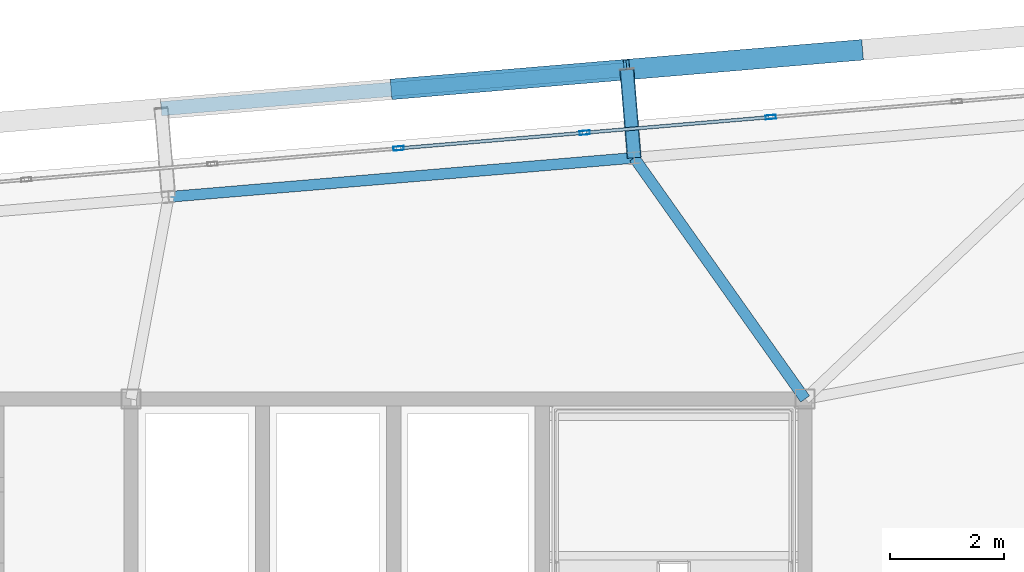
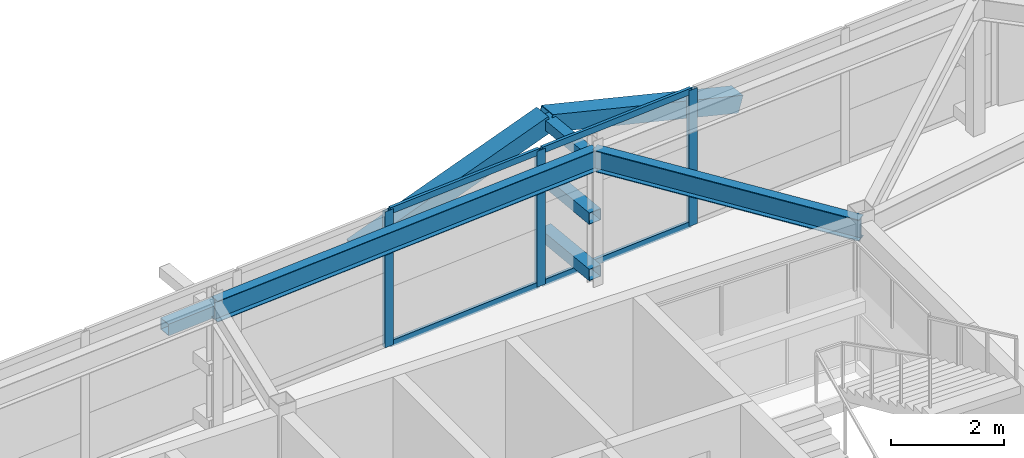
# One storey, part 30 of 46: 13 members, 2 beams, 1 element without a shape of its own.
"""IFC4 building model written with IfcOpenShell, lengths in metres."""

from ifc_helpers import new_model, si_unit, direction, frame, origin, origin_2d, place, context, subcontext, project, spatial, hollow_rectangle, i_section, extrude, source, transform, mapped, material, layer, layer_set, material_profile, profile_set, type_object, element, aggregate, save


model = new_model("IFC4")

# Units and contexts
model_context = context("Model", 3, precision=1e-05, world=origin(), true_north=direction((0.0, 1.0)))
body_context = subcontext(model_context, "Body", "Model", "MODEL_VIEW")
ifc_project = project(units=[si_unit("LENGTHUNIT", "METRE"), si_unit("AREAUNIT", "SQUARE_METRE"), si_unit("VOLUMEUNIT", "CUBIC_METRE"), si_unit("PLANEANGLEUNIT", "RADIAN"), si_unit("MASSUNIT", "GRAM", prefix="KILO")], contexts=[model_context])

# Site, building, storey
site_placement = place(None, origin())
site = spatial("IfcSite", under=ifc_project, at=site_placement, CompositionType="ELEMENT")
building_placement = place(site_placement, origin())
building = spatial("IfcBuilding", under=site, at=building_placement, Name="Taldren Reach Tower", CompositionType="ELEMENT")
storey_placement = place(building_placement, frame((0.0, 0.0, 188.300048828125)))
storey = spatial("IfcBuildingStorey", under=building, at=storey_placement, Name="L57", CompositionType="ELEMENT", Elevation=188.300048828125)

# Members
ifc_material_1 = material(Name="Steel Gr 350 (C350L0)", Category="steel")
ifc_material_profile_1 = material_profile(ifc_material_1, hollow_rectangle(XDim=0.25, YDim=0.25, WallThickness=0.010009765625, at=origin_2d()), Name="250x250x10.0SHS")
ifc_profile_set_1 = profile_set([ifc_material_profile_1], Name="Steel Gr 350 (C350L0)")
member_type_1 = type_object("IfcMemberType", Name="MB-POST250", PredefinedType="POST", material=ifc_profile_set_1)
shared_shape_1 = source(origin(), body_context, "Body", "SweptSolid", [
    extrude(hollow_rectangle(XDim=0.25, YDim=0.25, WallThickness=0.010009765625, at=origin_2d()), origin(), (0.0, 0.0, 1.0), 1.550048828125),
])
for number, where, z_axis, x_axis, name in (
    (1, (48.009033203125, 36.221435546875, 0.219970703125), (-0.083632013783, 0.996496706603, 0.0), (-0.996496706603, -0.083632013783, 0.0), "Exoskeleton base diaphragm tie strut B4-N5 L57"),
    (2, (48.009033203125, 36.221435546875, 1.43505859375), (-0.083632013783, 0.996496706603, 0.0), (-0.996496706603, -0.083632013783, 0.0), "Exoskeleton mid-tier diaphragm tie B4-N5 L57"),
):
    element("IfcMember", number, at=place(storey_placement, frame(where, z_axis=z_axis, x_axis=x_axis)), inside=storey, type_object=member_type_1, Name=name, PredefinedType="POST", context=body_context, shape_type="MappedRepresentation", body=[
        mapped(shared_shape_1, transform((0.0, 0.0, 0.0), scale=1.0)),
    ])

# Beams
ifc_material_2 = material(Name="Steel Gr 350 (350PLUS)", Category="steel")
ifc_material_profile_2 = material_profile(ifc_material_2, i_section(OverallWidth=0.18994140625, OverallDepth=0.4541015625, WebThickness=0.008544921875, FlangeThickness=0.0126953125, at=origin_2d()), Name="460UB67.1")
ifc_profile_set_2 = profile_set([ifc_material_profile_2], Name="Steel Gr 350 (350PLUS)")
beam_type_1 = type_object("IfcBeamType", Name="SP-UB460B", PredefinedType="SPANDREL", material=ifc_profile_set_2)
shared_shape_2 = source(origin(), body_context, "Body", "SweptSolid", [
    extrude(i_section(OverallWidth=0.18994140625, OverallDepth=0.4541015625, WebThickness=0.008544921875, FlangeThickness=0.0126953125, at=origin_2d()), origin(), (0.0, 0.0, 1.0), 8.179931640625),
])
beam_1_placement = place(storey_placement, frame((48.009033203125, 36.221435546875, 2.702880859375), z_axis=(-0.996494523218, -0.083658025296, 0.0), x_axis=(0.083658025296, -0.996494523218, 0.0)))
element("IfcBeam", 3, at=beam_1_placement, inside=storey, type_object=beam_type_1, Name="Perimeter spandrel B4 N5-N4 L57", PredefinedType="SPANDREL", context=body_context, shape_type="MappedRepresentation", body=[
    mapped(shared_shape_2, transform((0.0, 0.0, 0.0), scale=1.0)),
])
ifc_material_profile_3 = material_profile(ifc_material_2, i_section(OverallWidth=0.19091796875, OverallDepth=0.4599609375, WebThickness=0.010009765625, FlangeThickness=0.01611328125, at=origin_2d()), Name="460UB82.1")
ifc_profile_set_3 = profile_set([ifc_material_profile_3], Name="Steel Gr 350 (350PLUS)")
beam_type_2 = type_object("IfcBeamType", Name="BM-UB460A", PredefinedType="BEAM", material=ifc_profile_set_3)
shared_shape_3 = source(origin(), body_context, "Body", "SweptSolid", [
    extrude(i_section(OverallWidth=0.19091796875, OverallDepth=0.4599609375, WebThickness=0.010009765625, FlangeThickness=0.01611328125, at=origin_2d()), origin(), (0.0, 0.0, 1.0), 5.173583984375),
])
beam_2_placement = place(storey_placement, frame((51.0, 32.0, 2.699951171875), z_axis=(-0.578118152709, 0.8159530633, 0.0), x_axis=(-0.8159530633, -0.578118152709, 0.0)))
element("IfcBeam", 4, at=beam_2_placement, inside=storey, type_object=beam_type_2, Name="Primary floor girder B4-N5 L57", PredefinedType="BEAM", context=body_context, shape_type="MappedRepresentation", body=[
    mapped(shared_shape_3, transform((0.0, 0.0, 0.0), scale=1.0)),
])

# Members
ifc_material_3 = material(Name="Steel Gr 450 (C450L0)", Category="steel")
ifc_material_profile_4 = material_profile(ifc_material_3, hollow_rectangle(XDim=0.219970703125, YDim=0.219970703125, WallThickness=0.00830078125, at=origin_2d()), Name="220x220x8.2SHS")
ifc_profile_set_4 = profile_set([ifc_material_profile_4], Name="Steel Gr 450 (C450L0)")
member_type_2 = type_object("IfcMemberType", Name="MB-TIE219", PredefinedType="STRUT", material=ifc_profile_set_4)
shared_shape_4 = source(origin(), body_context, "Body", "SweptSolid", [
    extrude(hollow_rectangle(XDim=0.219970703125, YDim=0.219970703125, WallThickness=0.00830078125, at=origin_2d()), origin(), (0.0, 0.0, 1.0), 1.550048828125),
])
member_1_placement = place(storey_placement, frame((48.009033203125, 36.221435546875, 2.64990234375), z_axis=(-0.083632013783, 0.996496706603, 0.0), x_axis=(-0.996496706603, -0.083632013783, 0.0)))
element("IfcMember", 5, at=member_1_placement, inside=storey, type_object=member_type_2, Name="Exoskeleton diaphragm tie strut B4-N5 L57", PredefinedType="STRUT", context=body_context, shape_type="MappedRepresentation", body=[
    mapped(shared_shape_4, transform((0.0, 0.0, 0.0), scale=1.0)),
])
shared_shape_5 = source(origin(), body_context, "Body", "SweptSolid", [
    extrude(hollow_rectangle(XDim=0.25, YDim=0.25, WallThickness=0.010009765625, at=origin_2d()), origin(), (0.0, 0.0, 1.0), 8.18017578125),
])
member_2_placement = place(storey_placement, frame((39.72802734375, 37.08154296875, 1.43505859375), z_axis=(0.996492034688, 0.083687662192, 0.0), x_axis=(-0.083687662192, 0.996492034688, 0.0)))
element("IfcMember", 6, at=member_2_placement, inside=storey, type_object=member_type_1, Name="Exoskeleton mid-height ring chord B4-N4 L57", PredefinedType="POST", context=body_context, shape_type="MappedRepresentation", body=[
    mapped(shared_shape_5, transform((0.0, 0.0, 0.0), scale=1.0)),
])
ifc_material_profile_5 = material_profile(ifc_material_3, hollow_rectangle(XDim=0.360107421875, YDim=0.360107421875, WallThickness=0.0126953125, at=origin_2d()), Name="360x360x12.7SHS")
ifc_profile_set_5 = profile_set([ifc_material_profile_5], Name="Steel Gr 450 (C450L0)")
member_type_3 = type_object("IfcMemberType", Name="MB-EXO356", PredefinedType="BRACE", material=ifc_profile_set_5)
shared_shape_6 = source(origin(), body_context, "Body", "SweptSolid", [
    extrude(hollow_rectangle(XDim=0.360107421875, YDim=0.360107421875, WallThickness=0.0126953125, at=origin_2d()), origin(), (0.0, 0.0, 1.0), 4.2666015625),
])
for number, where, z_axis, x_axis, name in (
    (7, (43.8037109375, 37.423828125, 1.43505859375), (0.955244723646, 0.080223619417, 0.284730906006), (-0.083687662192, 0.996492034688, 0.0), "Exoskeleton Diagrid Brace B4-N4 L57"),
    (8, (51.955078125, 38.1083984375, 1.43505859375), (-0.955244723646, -0.080223619417, 0.284730906006), (0.083687662192, -0.996492034688, 0.0), "Exoskeleton Diagrid Brace B4-N5 L57"),
):
    element("IfcMember", number, at=place(storey_placement, frame(where, z_axis=z_axis, x_axis=x_axis)), inside=storey, type_object=member_type_3, Name=name, PredefinedType="BRACE", context=body_context, shape_type="MappedRepresentation", body=[
        mapped(shared_shape_6, transform((0.0, 0.0, 0.0), scale=1.0)),
    ])

# Curtain wall, members
ifc_material_4 = material(Name="Aluminium and Low-E Glass Unitised System", Category="aluminium")
ifc_layer = layer(ifc_material_4, 0.159912109375)
ifc_layer_set = layer_set([ifc_layer], Name="Aluminium and Low-E Glass Unitised System")
curtain_wall_type = type_object("IfcCurtainWallType", Name="CW-SYS-5", PredefinedType="NOTDEFINED", material=ifc_layer_set)
curtain_wall_placement = place(storey_placement, origin())
curtain_wall = element("IfcCurtainWall", 9, at=curtain_wall_placement, inside=storey, type_object=curtain_wall_type, Name="Unitised curtain wall CW-L57-N", PredefinedType="NOTDEFINED")
ifc_material_5 = material(Name="Anodised Aluminium 6063-T6", Category="aluminium")
ifc_material_profile_6 = material_profile(ifc_material_5, hollow_rectangle(XDim=0.070068359375, YDim=0.179931640625, WallThickness=0.00390625, at=origin_2d()), Name="ALU-180x70x4RHS")
ifc_profile_set_6 = profile_set([ifc_material_profile_6], Name="Anodised Aluminium 6063-T6")
member_type_4 = type_object("IfcMemberType", Name="CW-MUL-180", PredefinedType="MULLION", material=ifc_profile_set_6)
shared_shape_7 = source(origin(), body_context, "Body", "SweptSolid", [
    extrude(hollow_rectangle(XDim=0.070068359375, YDim=0.179931640625, WallThickness=0.00390625, at=origin_2d()), origin(), (0.0, 0.0, 1.0), 2.929931640625),
])
member_3_placement = place(storey_placement, frame((50.3994140625, 36.93408203125, 0.0), z_axis=(0.0, 0.0, 1.0), x_axis=(0.083677875247, -0.99649285657, 0.0)))
member_3 = element("IfcMember", 10, at=member_3_placement, type_object=member_type_4, Name="CW-5 mullion 3", PredefinedType="MULLION", context=body_context, shape_type="MappedRepresentation", body=[
    mapped(shared_shape_7, transform((0.0, 0.0, 0.0), scale=1.0)),
])
member_4_placement = place(storey_placement, frame((47.1416015625, 36.660400390625, 0.0), z_axis=(0.0, 0.0, 1.0), x_axis=(0.083677875247, -0.99649285657, 0.0)))
member_4 = element("IfcMember", 11, at=member_4_placement, type_object=member_type_4, Name="CW-5 mullion 4", PredefinedType="MULLION", context=body_context, shape_type="MappedRepresentation", body=[
    mapped(shared_shape_7, transform((0.0, 0.0, 0.0), scale=1.0)),
])
member_5_placement = place(storey_placement, frame((43.8837890625, 36.386962890625, 0.0), z_axis=(0.0, 0.0, 1.0), x_axis=(0.083677875247, -0.99649285657, 0.0)))
member_5 = element("IfcMember", 12, at=member_5_placement, type_object=member_type_4, Name="CW-5 mullion 5", PredefinedType="MULLION", context=body_context, shape_type="MappedRepresentation", body=[
    mapped(shared_shape_7, transform((0.0, 0.0, 0.0), scale=1.0)),
])
ifc_material_profile_7 = material_profile(ifc_material_5, hollow_rectangle(XDim=0.06005859375, YDim=0.135009765625, WallThickness=0.00341796875, at=origin_2d()), Name="ALU-135x60x3.5RHS")
ifc_profile_set_7 = profile_set([ifc_material_profile_7], Name="Anodised Aluminium 6063-T6")
member_type_5 = type_object("IfcMemberType", Name="CW-TRN-150", PredefinedType="USERDEFINED", material=ifc_profile_set_7)
shared_shape_8 = source(origin(), body_context, "Body", "SweptSolid", [
    extrude(hollow_rectangle(XDim=0.06005859375, YDim=0.135009765625, WallThickness=0.00341796875, at=origin_2d()), origin(), (0.0, 0.0, 1.0), 3.19921875),
])
member_6_placement = place(storey_placement, frame((50.364501953125, 36.93115234375, 0.030029296875), z_axis=(-0.996489746258, -0.083714906697, 0.0), x_axis=(0.083714906697, -0.996489746258, 0.0)))
member_6 = element("IfcMember", 13, at=member_6_placement, type_object=member_type_5, Name="CW-5 transom 3.1", ObjectType="TRANSOM", PredefinedType="USERDEFINED", context=body_context, shape_type="MappedRepresentation", body=[
    mapped(shared_shape_8, transform((0.0, 0.0, 0.0), scale=1.0)),
])
member_7_placement = place(storey_placement, frame((50.364501953125, 36.93115234375, 2.89990234375), z_axis=(-0.996489746258, -0.083714906697, 0.0), x_axis=(0.083714906697, -0.996489746258, 0.0)))
member_7 = element("IfcMember", 14, at=member_7_placement, type_object=member_type_5, Name="CW-5 transom 3.2", ObjectType="TRANSOM", PredefinedType="USERDEFINED", context=body_context, shape_type="MappedRepresentation", body=[
    mapped(shared_shape_8, transform((0.0, 0.0, 0.0), scale=1.0)),
])
member_8_placement = place(storey_placement, frame((47.106689453125, 36.657470703125, 0.030029296875), z_axis=(-0.996496109493, -0.083639128198, 0.0), x_axis=(0.083639128198, -0.996496109493, 0.0)))
member_8 = element("IfcMember", 15, at=member_8_placement, type_object=member_type_5, Name="CW-5 transom 4.1", ObjectType="TRANSOM", PredefinedType="USERDEFINED", context=body_context, shape_type="MappedRepresentation", body=[
    mapped(shared_shape_8, transform((0.0, 0.0, 0.0), scale=1.0)),
])
member_9_placement = place(storey_placement, frame((47.106689453125, 36.657470703125, 2.89990234375), z_axis=(-0.996496109493, -0.083639128198, 0.0), x_axis=(0.083639128198, -0.996496109493, 0.0)))
member_9 = element("IfcMember", 16, at=member_9_placement, type_object=member_type_5, Name="CW-5 transom 4.2", ObjectType="TRANSOM", PredefinedType="USERDEFINED", context=body_context, shape_type="MappedRepresentation", body=[
    mapped(shared_shape_8, transform((0.0, 0.0, 0.0), scale=1.0)),
])
aggregate(curtain_wall, [member_3, member_4, member_5, member_6, member_7, member_8, member_9])

save(model, "model.ifc")
